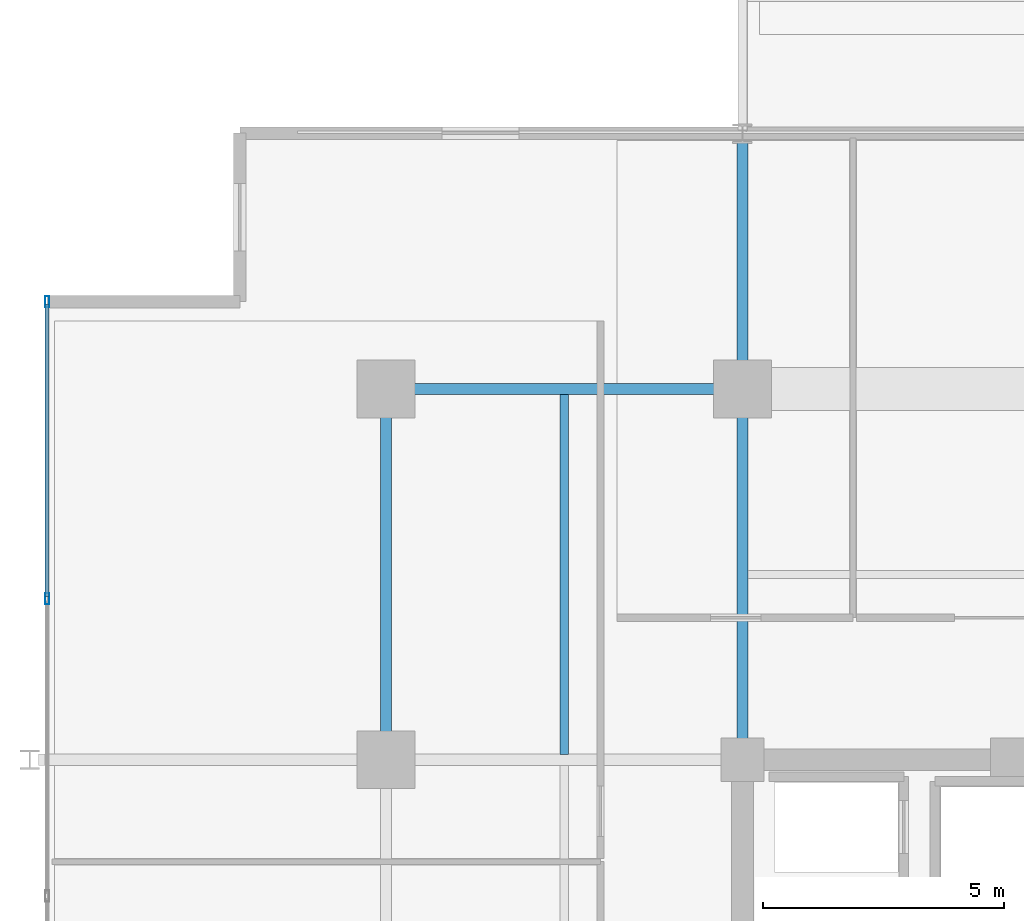
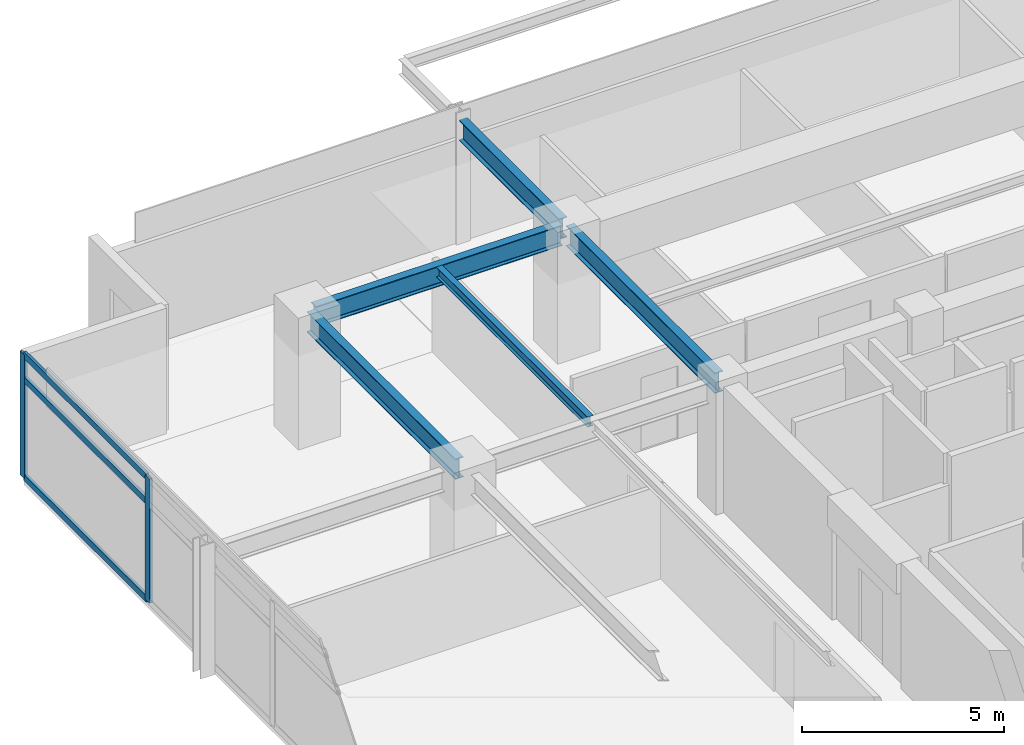
# One storey, part 11 of 20: 5 beams, 5 members, 1 element without a shape of its own.
"""IFC4 building model written with IfcOpenShell, lengths in metres."""

from ifc_helpers import new_model, si_unit, direction, frame, origin, origin_2d, place, context, subcontext, project, spatial, hollow_rectangle, i_section, extrude, material, material_profile, profile_set, type_object, element, aggregate, save


model = new_model("IFC4")

# Units and contexts
model_context = context("Model", 3, precision=1e-05, world=origin(), true_north=direction((0.0, 1.0)))
body_context = subcontext(model_context, "Body", "Model", "MODEL_VIEW")
ifc_project = project(units=[si_unit("LENGTHUNIT", "METRE"), si_unit("AREAUNIT", "SQUARE_METRE"), si_unit("VOLUMEUNIT", "CUBIC_METRE"), si_unit("PLANEANGLEUNIT", "RADIAN"), si_unit("MASSUNIT", "GRAM", prefix="KILO")], contexts=[model_context])

# Site, building, storey
site_placement = place(None, origin())
site = spatial("IfcSite", under=ifc_project, at=site_placement, CompositionType="ELEMENT")
building_placement = place(site_placement, origin())
building = spatial("IfcBuilding", under=site, at=building_placement, Name="Kovane Verandah Tower", CompositionType="ELEMENT")
storey_placement = place(building_placement, frame((0.0, 0.0, 287.199951171875)))
storey = spatial("IfcBuildingStorey", under=building, at=storey_placement, Name="L67", CompositionType="ELEMENT", Elevation=287.199951171875)

# Beams
ifc_material_1 = material(Name="Steel S355", Category="steel")
ifc_material_profile_1 = material_profile(ifc_material_1, i_section(OverallWidth=0.230224609375, OverallDepth=0.6171875, WebThickness=0.01318359375, FlangeThickness=0.022216796875, FilletRadius=0.0126953125, at=origin_2d()), Name="UB610x229x140")
ifc_profile_set_1 = profile_set([ifc_material_profile_1], Name="Steel S355")
beam_type_1 = type_object("IfcBeamType", Name="BM-UB610x140", PredefinedType="BEAM", material=ifc_profile_set_1)
beam_1_placement = place(storey_placement, frame((21.780029296875, 44.199951171875, 3.4765625), z_axis=(1.0, 0.0, 0.0), x_axis=(0.0, 1.0, 0.0)))
element("IfcBeam", 1, at=beam_1_placement, inside=storey, type_object=beam_type_1, Name="L67 Primary Tower Girder G-RN1", PredefinedType="BEAM", context=body_context, shape_type="SweptSolid", body=[
    extrude(i_section(OverallWidth=0.230224609375, OverallDepth=0.6171875, WebThickness=0.01318359375, FlangeThickness=0.022216796875, FilletRadius=0.0126953125, at=origin_2d()), origin(), (0.0, 0.0, 1.0), 7.0400390625),
])
for number, where, z_axis, x_axis, name in (
    (2, (21.60009765625, 36.679931640625, 3.4765625), (0.0, 1.0, 0.0), (-1.0, 0.0, 0.0), "L67 Primary Tower Girder G-RW3"),
    (3, (29.0, 36.679931640625, 3.4765625), (0.0, 1.0, 0.0), (-1.0, 0.0, 0.0), "L67 Primary Tower Girder G-N1"),
):
    element("IfcBeam", number, at=place(storey_placement, frame(where, z_axis=z_axis, x_axis=x_axis)), inside=storey, type_object=beam_type_1, Name=name, PredefinedType="BEAM", context=body_context, shape_type="SweptSolid", body=[
        extrude(i_section(OverallWidth=0.230224609375, OverallDepth=0.6171875, WebThickness=0.01318359375, FlangeThickness=0.022216796875, FilletRadius=0.0126953125, at=origin_2d()), origin(), (0.0, 0.0, 1.0), 7.340087890625),
    ])
beam_2_placement = place(storey_placement, frame((29.0, 44.3798828125, 3.451416015625), z_axis=(0.0, 1.0, 0.0), x_axis=(-1.0, 0.0, 0.0)))
element("IfcBeam", 4, at=beam_2_placement, inside=storey, type_object=beam_type_1, Name="L67 Primary Tower Girder G-VN1", PredefinedType="BEAM", context=body_context, shape_type="SweptSolid", body=[
    extrude(i_section(OverallWidth=0.230224609375, OverallDepth=0.6171875, WebThickness=0.01318359375, FlangeThickness=0.022216796875, FilletRadius=0.0126953125, at=origin_2d()), origin(), (0.0, 0.0, 1.0), 4.940185546875),
])

# Curtain wall, members
ifc_material_2 = material(Name="Champagne Anodised Aluminium Frame with Low-E Clear Laminated Glass", Category="aluminium")
curtain_wall_type = type_object("IfcCurtainWallType", Name="CW-SYS-05-HIGH", PredefinedType="NOTDEFINED", material=ifc_material_2)
curtain_wall_placement = place(storey_placement, origin())
curtain_wall = element("IfcCurtainWall", 5, at=curtain_wall_placement, inside=storey, type_object=curtain_wall_type, Name="L67 W Unitised Curtain Wall", PredefinedType="NOTDEFINED")
ifc_material_3 = material(Name="Champagne Anodised Aluminium 6063-T6", Category="aluminium")
ifc_material_profile_2 = material_profile(ifc_material_3, hollow_rectangle(XDim=0.0849609375, YDim=0.22998046875, WallThickness=0.00390625, at=origin_2d()), Name="AL85x230x4")
ifc_profile_set_2 = profile_set([ifc_material_profile_2], Name="Champagne Anodised Aluminium 6063-T6")
member_type_1 = type_object("IfcMemberType", Name="CW-MUL-85x230", PredefinedType="MULLION", material=ifc_profile_set_2)
member_1_placement = place(storey_placement, frame((14.5625, 46.014404296875, 0.02001953125), z_axis=(0.0, 0.0, 1.0), x_axis=(-1.0, 0.0, 0.0)))
member_1 = element("IfcMember", 6, at=member_1_placement, type_object=member_type_1, Name="L67 W Unitised Curtain Wall Mullion 1", PredefinedType="MULLION", context=body_context, shape_type="SweptSolid", body=[
    extrude(hollow_rectangle(XDim=0.0849609375, YDim=0.22998046875, WallThickness=0.00390625, at=origin_2d()), origin(), (0.0, 0.0, 1.0), 3.7451171875),
])
member_2_placement = place(storey_placement, frame((14.5625, 39.843017578125, 0.02001953125), z_axis=(0.0, 0.0, 1.0), x_axis=(-1.0, 0.0, 0.0)))
member_2 = element("IfcMember", 7, at=member_2_placement, type_object=member_type_1, Name="L67 W Unitised Curtain Wall Mullion 2", PredefinedType="MULLION", context=body_context, shape_type="SweptSolid", body=[
    extrude(hollow_rectangle(XDim=0.0849609375, YDim=0.22998046875, WallThickness=0.00390625, at=origin_2d()), origin(), (0.0, 0.0, 1.0), 3.7451171875),
])
ifc_material_profile_3 = material_profile(ifc_material_3, hollow_rectangle(XDim=0.0849609375, YDim=0.18994140625, WallThickness=0.00390625, at=origin_2d()), Name="AL85x190x4")
ifc_profile_set_3 = profile_set([ifc_material_profile_3], Name="Champagne Anodised Aluminium 6063-T6")
member_type_2 = type_object("IfcMemberType", Name="CW-TRN-85x190", PredefinedType="USERDEFINED", material=ifc_profile_set_3)
member_3_placement = place(storey_placement, frame((14.5625, 45.96435546875, 0.050048828125), z_axis=(0.0, -1.0, 0.0), x_axis=(1.0, 0.0, 0.0)))
member_3 = element("IfcMember", 8, at=member_3_placement, type_object=member_type_2, Name="L67 W Unitised Curtain Wall Transom TB Bay 1", ObjectType="TRANSOM", PredefinedType="USERDEFINED", context=body_context, shape_type="SweptSolid", body=[
    extrude(hollow_rectangle(XDim=0.0849609375, YDim=0.18994140625, WallThickness=0.00390625, at=origin_2d()), origin(), (0.0, 0.0, 1.0), 6.071533203125),
])
member_4_placement = place(storey_placement, frame((14.5625, 45.96435546875, 3.005126953125), z_axis=(0.0, -1.0, 0.0), x_axis=(1.0, 0.0, 0.0)))
member_4 = element("IfcMember", 9, at=member_4_placement, type_object=member_type_2, Name="L67 W Unitised Curtain Wall Transom TM Bay 1", ObjectType="TRANSOM", PredefinedType="USERDEFINED", context=body_context, shape_type="SweptSolid", body=[
    extrude(hollow_rectangle(XDim=0.0849609375, YDim=0.18994140625, WallThickness=0.00390625, at=origin_2d()), origin(), (0.0, 0.0, 1.0), 6.071533203125),
])
member_5_placement = place(storey_placement, frame((14.5625, 45.96435546875, 3.735107421875), z_axis=(0.0, -1.0, 0.0), x_axis=(1.0, 0.0, 0.0)))
member_5 = element("IfcMember", 10, at=member_5_placement, type_object=member_type_2, Name="L67 W Unitised Curtain Wall Transom TT Bay 1", ObjectType="TRANSOM", PredefinedType="USERDEFINED", context=body_context, shape_type="SweptSolid", body=[
    extrude(hollow_rectangle(XDim=0.0849609375, YDim=0.18994140625, WallThickness=0.00390625, at=origin_2d()), origin(), (0.0, 0.0, 1.0), 6.071533203125),
])
aggregate(curtain_wall, [member_1, member_2, member_3, member_4, member_5])

# Beam
ifc_material_profile_4 = material_profile(ifc_material_1, i_section(OverallWidth=0.1669921875, OverallDepth=0.310302734375, WebThickness=0.0078125, FlangeThickness=0.013671875, FilletRadius=0.0087890625, at=origin_2d()), Name="UB305x165x54")
ifc_profile_set_4 = profile_set([ifc_material_profile_4], Name="Steel S355")
beam_type_2 = type_object("IfcBeamType", Name="JST-UB305x54", PredefinedType="JOIST", material=ifc_profile_set_4)
beam_3_placement = place(storey_placement, frame((25.300048828125, 36.613037109375, 3.6298828125), z_axis=(0.0, 1.0, 0.0), x_axis=(-1.0, 0.0, 0.0)))
element("IfcBeam", 11, at=beam_3_placement, inside=storey, type_object=beam_type_2, Name="L67 Secondary Composite Joist J-NW1", PredefinedType="JOIST", context=body_context, shape_type="SweptSolid", body=[
    extrude(i_section(OverallWidth=0.1669921875, OverallDepth=0.310302734375, WebThickness=0.0078125, FlangeThickness=0.013671875, FilletRadius=0.0087890625, at=origin_2d()), origin(), (0.0, 0.0, 1.0), 7.473876953125),
])

save(model, "model.ifc")
